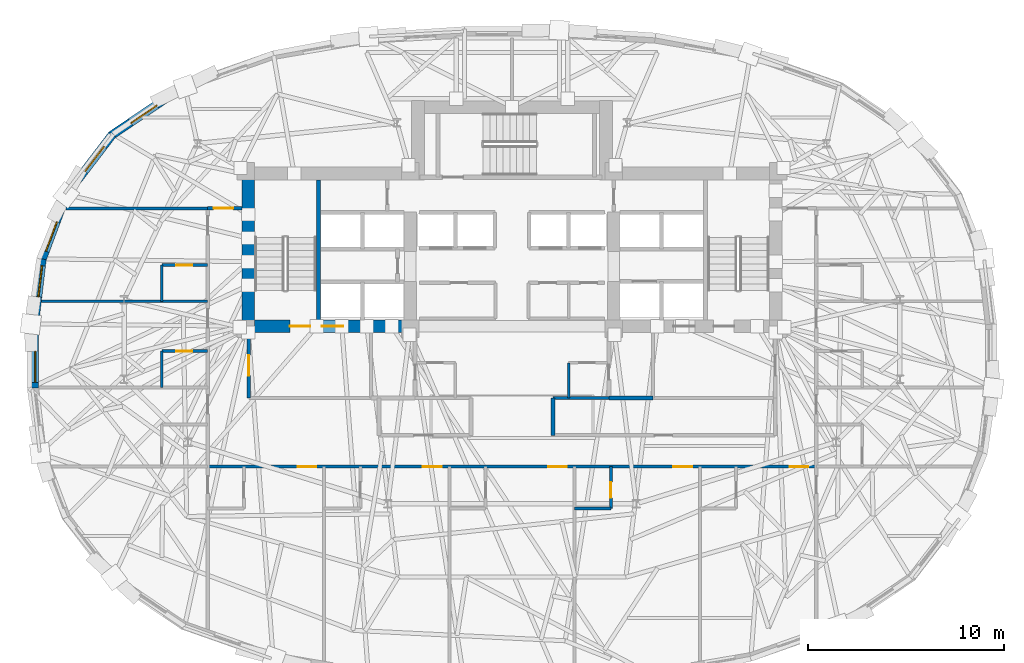
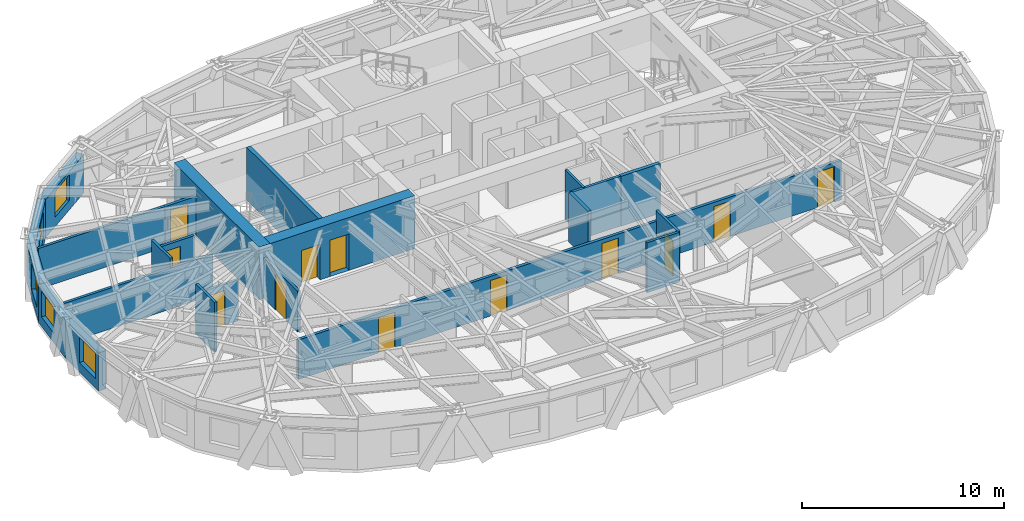
# One storey, part 7 of 15: 23 walls, 12 doors, 5 windows, 17 openings.
"""IFC4 building model written with IfcOpenShell, lengths in metres."""

from ifc_helpers import new_model, si_unit, direction, frame, frame_2d, origin, place, context, subcontext, project, spatial, rectangle, extrude, material, layer, layer_set, type_object, element, fill, save


model = new_model("IFC4")

# Units and contexts
model_context = context("Model", 3, precision=1e-05, world=origin(), true_north=direction((0.0, 1.0)))
body_context = subcontext(model_context, "Body", "Model", "MODEL_VIEW")
ifc_project = project(units=[si_unit("LENGTHUNIT", "METRE"), si_unit("AREAUNIT", "SQUARE_METRE"), si_unit("VOLUMEUNIT", "CUBIC_METRE"), si_unit("PLANEANGLEUNIT", "RADIAN"), si_unit("MASSUNIT", "GRAM", prefix="KILO")], contexts=[model_context])

# Site, building, storey
site_placement = place(None, origin())
site = spatial("IfcSite", under=ifc_project, at=site_placement, CompositionType="ELEMENT")
building_placement = place(site_placement, origin())
building = spatial("IfcBuilding", under=site, at=building_placement, Name="Keldmark Tower", CompositionType="ELEMENT")
storey_placement = place(building_placement, frame((0.0, 0.0, 143.800048828125)))
storey = spatial("IfcBuildingStorey", under=building, at=storey_placement, Name="L38", CompositionType="ELEMENT", Elevation=143.800048828125)

# Walls
ifc_material_1 = material(Name="Heavy Acoustic Plumbing Chase Gypsum Assembly", Category="gypsum")
ifc_layer_1 = layer(ifc_material_1, 0.18994140625)
ifc_layer_set_1 = layer_set([ifc_layer_1], Name="Heavy Acoustic Plumbing Chase Gypsum Assembly")
wall_type_1 = type_object("IfcWallType", Name="Heavy Wet Wall 190 mm", PredefinedType="PLUMBINGWALL", material=ifc_layer_set_1)
wall_1_placement = place(storey_placement, frame((2.10009765625, -4.050048828125, 0.0), z_axis=(0.0, 0.0, 1.0), x_axis=(0.0, 1.0, 0.0)))
element("IfcWall", 1, at=wall_1_placement, inside=storey, type_object=wall_type_1, Name="L38 Heavy Wet Wall 190 mm SPK-E-W", PredefinedType="PLUMBINGWALL", context=body_context, shape_type="SweptSolid", body=[
    extrude(rectangle(XDim=1.900146484375, YDim=0.18994140625, at=frame_2d((0.9501953125, 0.0))), origin(), (0.0, 0.0, 1.0), 3.02001953125),
])
ifc_material_2 = material(Name="Acoustic Gypsum Board Interior Partition", Category="gypsum")
ifc_layer_2 = layer(ifc_material_2, 0.1298828125)
ifc_layer_set_2 = layer_set([ifc_layer_2], Name="Acoustic Gypsum Board Interior Partition")
wall_type_2 = type_object("IfcWallType", Name="Interior Partition 130 mm", PredefinedType="PARTITIONING", material=ifc_layer_set_2)
wall_2_placement = place(storey_placement, frame((2.889892578125, -2.14990234375, 0.0), z_axis=(0.0, 0.0, 1.0), x_axis=(0.0, 1.0, 0.0)))
element("IfcWall", 2, at=wall_2_placement, inside=storey, type_object=wall_type_2, Name="L38 Interior Partition 130 mm CSC-E-W", PredefinedType="PARTITIONING", context=body_context, shape_type="SweptSolid", body=[
    extrude(rectangle(XDim=1.7998046875, YDim=0.1298828125, at=frame_2d((0.89990234375, 0.0))), origin(), (0.0, 0.0, 1.0), 3.02001953125),
])

# Wall, opening, door
ifc_material_3 = material(Name="Type X Fire-Rated Gypsum Partition Assembly", Category="gypsum")
ifc_layer_3 = layer(ifc_material_3, 0.1650390625)
ifc_layer_set_3 = layer_set([ifc_layer_3], Name="Type X Fire-Rated Gypsum Partition Assembly")
wall_type_3 = type_object("IfcWallType", Name="Rated Partition 165 mm", PredefinedType="PARTITIONING", material=ifc_layer_set_3)
wall_3_placement = place(storey_placement, frame((-13.449951171875, -2.14990234375, 0.0), z_axis=(0.0, 0.0, 1.0), x_axis=(0.0, 1.0, 0.0)))
wall_3 = element("IfcWall", 3, at=wall_3_placement, inside=storey, type_object=wall_type_3, Name="L38 Rated Partition 165 mm FSAE-W-W", PredefinedType="PARTITIONING", context=body_context, shape_type="SweptSolid", body=[
    extrude(rectangle(XDim=3.39990234375, YDim=0.1650390625, at=frame_2d((1.699951171875, 0.0))), origin(), (0.0, 0.0, 1.0), 2.472900390625),
])
opening_1_placement = place(wall_3_placement, frame((1.14990234375, 0.0, 0.0)))
opening_1 = element("IfcOpeningElement", 4, at=opening_1_placement, cuts=wall_3, Name="Opening D-FL105", PredefinedType="OPENING", context=body_context, shape_type="SweptSolid", body=[
    extrude(rectangle(XDim=1.050048828125, YDim=2.14990234375, at=frame_2d((0.52490234375, 1.074951171875))), frame((0.0, 0.092529296875, 0.0), z_axis=(0.0, -1.0, 0.0), x_axis=(1.0, 0.0, 0.0)), (0.0, 0.0, 1.0), 0.18505859375),
])
ifc_material_4 = material(Name="Fire-Rated Mineral-Core Door and Vision Lite", Category="metal")
door_type_1 = type_object("IfcDoorType", Name="Fire Lobby Door 1050x2150", OperationType="NOTDEFINED", PredefinedType="DOOR", material=ifc_material_4)
door_1_placement = place(opening_1_placement, origin())
door_1 = element("IfcDoor", 5, at=door_1_placement, inside=storey, type_object=door_type_1, Name="L38 Fire Lobby Door 1050x2150 D-FSAEW-OUT-L38", OperationType="SINGLE_SWING_LEFT", OverallHeight=2.14990234375, OverallWidth=1.050048828125, PredefinedType="DOOR", context=body_context, shape_type="SweptSolid", body=[
    extrude(rectangle(XDim=1.050048828125, YDim=2.14990234375, at=frame_2d((0.52490234375, 1.074951171875))), frame((0.0, 0.02490234375, 0.0), z_axis=(0.0, -1.0, 0.0), x_axis=(1.0, 0.0, 0.0)), (0.0, 0.0, 1.0), 0.050048828125),
])
fill(opening_1, door_1)

# Wall, openings, doors
wall_4_placement = place(storey_placement, frame((-15.550048828125, -5.64990234375, 0.0), z_axis=(0.0, 0.0, 1.0), x_axis=(1.0, 0.0, 0.0)))
wall_4 = element("IfcWall", 6, at=wall_4_placement, inside=storey, type_object=wall_type_3, Name="L38 Rated Partition 165 mm HCOR-S", PredefinedType="PARTITIONING", context=body_context, shape_type="SweptSolid", body=[
    extrude(rectangle(XDim=31.10009765625, YDim=0.1650390625, at=frame_2d((15.550048828125, 0.0))), origin(), (0.0, 0.0, 1.0), 2.39794921875),
])
opening_2_placement = place(wall_4_placement, frame((4.60009765625, 0.0, 0.0)))
opening_2 = element("IfcOpeningElement", 7, at=opening_2_placement, cuts=wall_4, Name="Opening D-HT095", PredefinedType="OPENING", context=body_context, shape_type="SweptSolid", body=[
    extrude(rectangle(XDim=0.949951171875, YDim=2.14990234375, at=frame_2d((0.47509765625, 1.074951171875))), frame((0.0, 0.092529296875, 0.0), z_axis=(0.0, -1.0, 0.0), x_axis=(1.0, 0.0, 0.0)), (0.0, 0.0, 1.0), 0.18505859375),
])
opening_3_placement = place(wall_4_placement, frame((11.0, 0.0, 0.0)))
opening_3 = element("IfcOpeningElement", 8, at=opening_3_placement, cuts=wall_4, Name="Opening D-HT095", PredefinedType="OPENING", context=body_context, shape_type="SweptSolid", body=[
    extrude(rectangle(XDim=0.949951171875, YDim=2.14990234375, at=frame_2d((0.47509765625, 1.074951171875))), frame((0.0, 0.092529296875, 0.0), z_axis=(0.0, -1.0, 0.0), x_axis=(1.0, 0.0, 0.0)), (0.0, 0.0, 1.0), 0.18505859375),
])
opening_4_placement = place(wall_4_placement, frame((17.39990234375, 0.0, 0.0)))
opening_4 = element("IfcOpeningElement", 9, at=opening_4_placement, cuts=wall_4, Name="Opening D-HT095", PredefinedType="OPENING", context=body_context, shape_type="SweptSolid", body=[
    extrude(rectangle(XDim=0.949951171875, YDim=2.14990234375, at=frame_2d((0.47509765625, 1.074951171875))), frame((0.0, 0.092529296875, 0.0), z_axis=(0.0, -1.0, 0.0), x_axis=(1.0, 0.0, 0.0)), (0.0, 0.0, 1.0), 0.18505859375),
])
opening_5_placement = place(wall_4_placement, frame((23.800048828125, 0.0, 0.0)))
opening_5 = element("IfcOpeningElement", 10, at=opening_5_placement, cuts=wall_4, Name="Opening D-HT095", PredefinedType="OPENING", context=body_context, shape_type="SweptSolid", body=[
    extrude(rectangle(XDim=0.949951171875, YDim=2.14990234375, at=frame_2d((0.47509765625, 1.074951171875))), frame((0.0, 0.092529296875, 0.0), z_axis=(0.0, -1.0, 0.0), x_axis=(1.0, 0.0, 0.0)), (0.0, 0.0, 1.0), 0.18505859375),
])
opening_6_placement = place(wall_4_placement, frame((29.75, 0.0, 0.0)))
opening_6 = element("IfcOpeningElement", 11, at=opening_6_placement, cuts=wall_4, Name="Opening D-HT095", PredefinedType="OPENING", context=body_context, shape_type="SweptSolid", body=[
    extrude(rectangle(XDim=0.949951171875, YDim=2.14990234375, at=frame_2d((0.47509765625, 1.074951171875))), frame((0.0, 0.092529296875, 0.0), z_axis=(0.0, -1.0, 0.0), x_axis=(1.0, 0.0, 0.0)), (0.0, 0.0, 1.0), 0.18505859375),
])
ifc_material_5 = material(Name="Solid-Core Acoustic White Oak Fire-Rated Assembly", Category="wood")
door_type_2 = type_object("IfcDoorType", Name="Hotel Entry Door 950x2150", OperationType="NOTDEFINED", PredefinedType="DOOR", material=ifc_material_5)
door_2_placement = place(opening_2_placement, origin())
door_2 = element("IfcDoor", 12, at=door_2_placement, inside=storey, type_object=door_type_2, Name="L38 Hotel Entry Door 950x2150 D-HRS1-L38", OperationType="SINGLE_SWING_RIGHT", OverallHeight=2.14990234375, OverallWidth=0.949951171875, PredefinedType="DOOR", context=body_context, shape_type="SweptSolid", body=[
    extrude(rectangle(XDim=0.949951171875, YDim=2.14990234375, at=frame_2d((0.47509765625, 1.074951171875))), frame((0.0, 0.02490234375, 0.0), z_axis=(0.0, -1.0, 0.0), x_axis=(1.0, 0.0, 0.0)), (0.0, 0.0, 1.0), 0.050048828125),
])
fill(opening_2, door_2)
door_3_placement = place(opening_3_placement, origin())
door_3 = element("IfcDoor", 13, at=door_3_placement, inside=storey, type_object=door_type_2, Name="L38 Hotel Entry Door 950x2150 D-HRS2-L38", OperationType="SINGLE_SWING_LEFT", OverallHeight=2.14990234375, OverallWidth=0.949951171875, PredefinedType="DOOR", context=body_context, shape_type="SweptSolid", body=[
    extrude(rectangle(XDim=0.949951171875, YDim=2.14990234375, at=frame_2d((0.47509765625, 1.074951171875))), frame((0.0, 0.02490234375, 0.0), z_axis=(0.0, -1.0, 0.0), x_axis=(1.0, 0.0, 0.0)), (0.0, 0.0, 1.0), 0.050048828125),
])
fill(opening_3, door_3)
door_4_placement = place(opening_4_placement, origin())
door_4 = element("IfcDoor", 14, at=door_4_placement, inside=storey, type_object=door_type_2, Name="L38 Hotel Entry Door 950x2150 D-HRS3-L38", OperationType="SINGLE_SWING_RIGHT", OverallHeight=2.14990234375, OverallWidth=0.949951171875, PredefinedType="DOOR", context=body_context, shape_type="SweptSolid", body=[
    extrude(rectangle(XDim=0.949951171875, YDim=2.14990234375, at=frame_2d((0.47509765625, 1.074951171875))), frame((0.0, 0.02490234375, 0.0), z_axis=(0.0, -1.0, 0.0), x_axis=(1.0, 0.0, 0.0)), (0.0, 0.0, 1.0), 0.050048828125),
])
fill(opening_4, door_4)
door_5_placement = place(opening_5_placement, origin())
door_5 = element("IfcDoor", 15, at=door_5_placement, inside=storey, type_object=door_type_2, Name="L38 Hotel Entry Door 950x2150 D-HRS4-L38", OperationType="SINGLE_SWING_LEFT", OverallHeight=2.14990234375, OverallWidth=0.949951171875, PredefinedType="DOOR", context=body_context, shape_type="SweptSolid", body=[
    extrude(rectangle(XDim=0.949951171875, YDim=2.14990234375, at=frame_2d((0.47509765625, 1.074951171875))), frame((0.0, 0.02490234375, 0.0), z_axis=(0.0, -1.0, 0.0), x_axis=(1.0, 0.0, 0.0)), (0.0, 0.0, 1.0), 0.050048828125),
])
fill(opening_5, door_5)
door_6_placement = place(opening_6_placement, origin())
door_6 = element("IfcDoor", 16, at=door_6_placement, inside=storey, type_object=door_type_2, Name="L38 Hotel Entry Door 950x2150 D-HRS5-L38", OperationType="SINGLE_SWING_RIGHT", OverallHeight=2.14990234375, OverallWidth=0.949951171875, PredefinedType="DOOR", context=body_context, shape_type="SweptSolid", body=[
    extrude(rectangle(XDim=0.949951171875, YDim=2.14990234375, at=frame_2d((0.47509765625, 1.074951171875))), frame((0.0, 0.02490234375, 0.0), z_axis=(0.0, -1.0, 0.0), x_axis=(1.0, 0.0, 0.0)), (0.0, 0.0, 1.0), 0.050048828125),
])
fill(opening_6, door_6)

# Wall, opening, door
wall_5_placement = place(storey_placement, frame((-15.550048828125, 7.550048828125, 0.0), z_axis=(0.0, 0.0, 1.0), x_axis=(1.0, 0.0, 0.0)))
wall_5 = element("IfcWall", 17, at=wall_5_placement, inside=storey, type_object=wall_type_3, Name="L38 Rated Partition 165 mm HCOR-WN", PredefinedType="PARTITIONING", context=body_context, shape_type="SweptSolid", body=[
    extrude(rectangle(XDim=1.75, YDim=0.1650390625, at=frame_2d((0.875, 0.0))), origin(), (0.0, 0.0, 1.0), 2.472900390625),
])
opening_7_placement = place(wall_5_placement, frame((0.300048828125, 0.0, 0.0)))
opening_7 = element("IfcOpeningElement", 18, at=opening_7_placement, cuts=wall_5, Name="Opening D-FD100", PredefinedType="OPENING", context=body_context, shape_type="SweptSolid", body=[
    extrude(rectangle(XDim=1.0, YDim=2.14990234375, at=frame_2d((0.5, 1.074951171875))), frame((0.0, 0.092529296875, 0.0), z_axis=(0.0, -1.0, 0.0), x_axis=(1.0, 0.0, 0.0)), (0.0, 0.0, 1.0), 0.18505859375),
])
ifc_material_6 = material(Name="Hollow Metal Fire-Rated Corridor Door", Category="metal")
door_type_3 = type_object("IfcDoorType", Name="Fire Door 1000x2150", OperationType="NOTDEFINED", PredefinedType="DOOR", material=ifc_material_6)
door_7_placement = place(opening_7_placement, origin())
door_7 = element("IfcDoor", 19, at=door_7_placement, inside=storey, type_object=door_type_3, Name="L38 Fire Door 1000x2150 D-HNNW-L38", OperationType="SINGLE_SWING_LEFT", OverallHeight=2.14990234375, OverallWidth=1.0, PredefinedType="DOOR", context=body_context, shape_type="SweptSolid", body=[
    extrude(rectangle(XDim=1.0, YDim=2.14990234375, at=frame_2d((0.5, 1.074951171875))), frame((0.0, 0.02490234375, 0.0), z_axis=(0.0, -1.0, 0.0), x_axis=(1.0, 0.0, 0.0)), (0.0, 0.0, 1.0), 0.050048828125),
])
fill(opening_7, door_7)

# Walls
ifc_material_7 = material(Name="Fire-Resistant Type X Gypsum Shaftliner Coreboard", Category="gypsum")
ifc_layer_4 = layer(ifc_material_7, 0.199951171875)
ifc_layer_set_4 = layer_set([ifc_layer_4], Name="Fire-Resistant Type X Gypsum Shaftliner Coreboard")
wall_type_4 = type_object("IfcWallType", Name="Shaft Wall 200 mm", PredefinedType="SOLIDWALL", material=ifc_layer_set_4)
wall_6_placement = place(storey_placement, frame((4.949951171875, -2.14990234375, 0.0), z_axis=(0.0, 0.0, 1.0), x_axis=(1.0, 0.0, 0.0)))
element("IfcWall", 20, at=wall_6_placement, inside=storey, type_object=wall_type_4, Name="L38 Shaft Wall 200 mm RIS-SE-S", PredefinedType="SOLIDWALL", context=body_context, shape_type="SweptSolid", body=[
    extrude(rectangle(XDim=2.25, YDim=0.199951171875, at=frame_2d((1.125, 0.0))), origin(), (0.0, 0.0, 1.0), 3.02001953125),
])
ifc_material_8 = material(Name="Concrete C50/60", Category="concrete")
ifc_layer_5 = layer(ifc_material_8, 0.219970703125)
ifc_layer_set_5 = layer_set([ifc_layer_5], Name="Concrete C50/60")
wall_type_5 = type_object("IfcWallType", Name="Stair Core Shear Wall 220 mm", PredefinedType="SHEAR", material=ifc_layer_set_5)
wall_7_placement = place(storey_placement, frame((-9.889892578125, 1.85009765625, 0.0), z_axis=(0.0, 0.0, 1.0), x_axis=(0.0, 1.0, 0.0)))
element("IfcWall", 21, at=wall_7_placement, inside=storey, type_object=wall_type_5, Name="L38 West Stair Core Shear Wall", PredefinedType="SHEAR", context=body_context, shape_type="SweptSolid", body=[
    extrude(rectangle(XDim=7.14990234375, YDim=0.219970703125, at=frame_2d((3.574951171875, 0.0))), origin(), (0.0, 0.0, 1.0), 3.199951171875),
])

# Wall, opening, window
ifc_material_9 = material(Name="Ironspot Manganese Brick and Kasota Buff Limestone Spandrel Assembly", Category="masonry")
ifc_layer_6 = layer(ifc_material_9, 0.43994140625)
ifc_layer_set_6 = layer_set([ifc_layer_6], Name="Ironspot Manganese Brick and Kasota Buff Limestone Spandrel Assembly")
wall_type_6 = type_object("IfcWallType", Name="Tower Brick Pier and Spandrel Wall 440 mm", PredefinedType="STANDARD", material=ifc_layer_set_6)
wall_8_placement = place(storey_placement, frame((-20.476806640625, 11.277099609375, 0.0), z_axis=(0.0, 0.0, 1.0), x_axis=(0.827741657842, 0.561109390291, 0.0)))
wall_8 = element("IfcWall", 22, at=wall_8_placement, inside=storey, type_object=wall_type_6, Name="L38 Exterior Brick and Spandrel Wall 12", PredefinedType="STANDARD", context=body_context, shape_type="SweptSolid", body=[
    extrude(rectangle(XDim=4.462890625, YDim=0.43994140625, at=frame_2d((2.2314453125, 0.0))), origin(), (0.0, 0.0, 1.0), 2.31494140625),
])
opening_8_placement = place(wall_8_placement, frame((1.18505859375, 0.0, 0.580078125)))
opening_8 = element("IfcOpeningElement", 23, at=opening_8_placement, cuts=wall_8, Name="Opening W-04", PredefinedType="OPENING", context=body_context, shape_type="SweptSolid", body=[
    extrude(rectangle(XDim=1.60009765625, YDim=1.550048828125, at=frame_2d((0.800048828125, 0.77490234375))), frame((0.0, 0.22998046875, 0.0), z_axis=(0.0, -1.0, 0.0), x_axis=(1.0, 0.0, 0.0)), (0.0, 0.0, 1.0), 0.4599609375),
])
ifc_material_10 = material(Name="Thermally Broken Anodized Aluminum and Triple Low-E Argon Glazing", Category="aluminium")
window_type = type_object("IfcWindowType", Name="Hotel Deep-Set Operable Window 1600x1550", PartitioningType="DOUBLE_PANEL_HORIZONTAL", PredefinedType="WINDOW", material=ifc_material_10)
window_1_placement = place(opening_8_placement, origin())
window_1 = element("IfcWindow", 24, at=window_1_placement, inside=storey, type_object=window_type, Name="L38 Deep-Set Window 12", OverallHeight=1.550048828125, OverallWidth=1.60009765625, PartitioningType="SINGLE_PANEL", PredefinedType="WINDOW", context=body_context, shape_type="SweptSolid", body=[
    extrude(rectangle(XDim=1.60009765625, YDim=1.550048828125, at=frame_2d((0.800048828125, 0.77490234375))), frame((0.0, -0.010009765625, 0.0), z_axis=(0.0, -1.0, 0.0), x_axis=(1.0, 0.0, 0.0)), (0.0, 0.0, 1.0), 0.06005859375),
])
fill(opening_8, window_1)

wall_9_placement = place(storey_placement, frame((-22.81689453125, 8.1962890625, 0.0), z_axis=(0.0, 0.0, 1.0), x_axis=(0.607215400231, 0.794537260122, 0.0)))
wall_9 = element("IfcWall", 25, at=wall_9_placement, inside=storey, type_object=wall_type_6, Name="L38 Exterior Brick and Spandrel Wall 13", PredefinedType="STANDARD", context=body_context, shape_type="SweptSolid", body=[
    extrude(rectangle(XDim=3.938720703125, YDim=0.43994140625, at=frame_2d((1.96923828125, 0.0))), origin(), (0.0, 0.0, 1.0), 2.31494140625),
])
opening_9_placement = place(wall_9_placement, frame((1.591796875, 0.0, 0.580078125)))
opening_9 = element("IfcOpeningElement", 26, at=opening_9_placement, cuts=wall_9, Name="Opening W-04", PredefinedType="OPENING", context=body_context, shape_type="SweptSolid", body=[
    extrude(rectangle(XDim=1.60009765625, YDim=1.550048828125, at=frame_2d((0.800048828125, 0.77490234375))), frame((0.0, 0.22998046875, 0.0), z_axis=(0.0, -1.0, 0.0), x_axis=(1.0, 0.0, 0.0)), (0.0, 0.0, 1.0), 0.4599609375),
])
window_2_placement = place(opening_9_placement, origin())
window_2 = element("IfcWindow", 27, at=window_2_placement, inside=storey, type_object=window_type, Name="L38 Deep-Set Window 13", OverallHeight=1.550048828125, OverallWidth=1.60009765625, PartitioningType="SINGLE_PANEL", PredefinedType="WINDOW", context=body_context, shape_type="SweptSolid", body=[
    extrude(rectangle(XDim=1.60009765625, YDim=1.550048828125, at=frame_2d((0.800048828125, 0.77490234375))), frame((0.0, -0.010009765625, 0.0), z_axis=(0.0, -1.0, 0.0), x_axis=(1.0, 0.0, 0.0)), (0.0, 0.0, 1.0), 0.06005859375),
])
fill(opening_9, window_2)

wall_10_placement = place(storey_placement, frame((-24.033203125, 4.906982421875, 0.0), z_axis=(0.0, 0.0, 1.0), x_axis=(0.349422124021, 0.936965409844, 0.0)))
wall_10 = element("IfcWall", 28, at=wall_10_placement, inside=storey, type_object=wall_type_6, Name="L38 Exterior Brick and Spandrel Wall 14", PredefinedType="STANDARD", context=body_context, shape_type="SweptSolid", body=[
    extrude(rectangle(XDim=3.571044921875, YDim=0.43994140625, at=frame_2d((1.78564453125, 0.0))), origin(), (0.0, 0.0, 1.0), 2.31494140625),
])
opening_10_placement = place(wall_10_placement, frame((0.49462890625, 0.0, 0.580078125)))
opening_10 = element("IfcOpeningElement", 29, at=opening_10_placement, cuts=wall_10, Name="Opening W-04", PredefinedType="OPENING", context=body_context, shape_type="SweptSolid", body=[
    extrude(rectangle(XDim=1.60009765625, YDim=1.550048828125, at=frame_2d((0.800048828125, 0.77490234375))), frame((0.0, 0.22998046875, 0.0), z_axis=(0.0, -1.0, 0.0), x_axis=(1.0, 0.0, 0.0)), (0.0, 0.0, 1.0), 0.4599609375),
])
window_3_placement = place(opening_10_placement, origin())
window_3 = element("IfcWindow", 30, at=window_3_placement, inside=storey, type_object=window_type, Name="L38 Deep-Set Window 14", OverallHeight=1.550048828125, OverallWidth=1.60009765625, PartitioningType="SINGLE_PANEL", PredefinedType="WINDOW", context=body_context, shape_type="SweptSolid", body=[
    extrude(rectangle(XDim=1.60009765625, YDim=1.550048828125, at=frame_2d((0.800048828125, 0.77490234375))), frame((0.0, -0.010009765625, 0.0), z_axis=(0.0, -1.0, 0.0), x_axis=(1.0, 0.0, 0.0)), (0.0, 0.0, 1.0), 0.06005859375),
])
fill(opening_10, window_3)

wall_11_placement = place(storey_placement, frame((-24.4130859375, 1.61865234375, 0.0), z_axis=(0.0, 0.0, 1.0), x_axis=(0.116605336518, 0.993178330158, 0.0)))
wall_11 = element("IfcWall", 31, at=wall_11_placement, inside=storey, type_object=wall_type_6, Name="L38 Exterior Brick and Spandrel Wall 15", PredefinedType="STANDARD", context=body_context, shape_type="SweptSolid", body=[
    extrude(rectangle(XDim=3.362548828125, YDim=0.43994140625, at=frame_2d((1.68115234375, 0.0))), origin(), (0.0, 0.0, 1.0), 2.31494140625),
])
opening_11_placement = place(wall_11_placement, frame((1.41650390625, 0.0, 0.580078125)))
opening_11 = element("IfcOpeningElement", 32, at=opening_11_placement, cuts=wall_11, Name="Opening W-04", PredefinedType="OPENING", context=body_context, shape_type="SweptSolid", body=[
    extrude(rectangle(XDim=1.60009765625, YDim=1.550048828125, at=frame_2d((0.800048828125, 0.77490234375))), frame((0.0, 0.22998046875, 0.0), z_axis=(0.0, -1.0, 0.0), x_axis=(1.0, 0.0, 0.0)), (0.0, 0.0, 1.0), 0.4599609375),
])
window_4_placement = place(opening_11_placement, origin())
window_4 = element("IfcWindow", 33, at=window_4_placement, inside=storey, type_object=window_type, Name="L38 Deep-Set Window 15", OverallHeight=1.550048828125, OverallWidth=1.60009765625, PartitioningType="SINGLE_PANEL", PredefinedType="WINDOW", context=body_context, shape_type="SweptSolid", body=[
    extrude(rectangle(XDim=1.60009765625, YDim=1.550048828125, at=frame_2d((0.800048828125, 0.77490234375))), frame((0.0, -0.010009765625, 0.0), z_axis=(0.0, -1.0, 0.0), x_axis=(1.0, 0.0, 0.0)), (0.0, 0.0, 1.0), 0.06005859375),
])
fill(opening_11, window_4)

wall_12_placement = place(storey_placement, frame((-24.41162109375, -1.644287109375, 0.0), z_axis=(0.0, 0.0, 1.0), x_axis=(0.0, 1.0, 0.0)))
wall_12 = element("IfcWall", 34, at=wall_12_placement, inside=storey, type_object=wall_type_6, Name="L38 Exterior Brick and Spandrel Wall 16", PredefinedType="STANDARD", context=body_context, shape_type="SweptSolid", body=[
    extrude(rectangle(XDim=3.28857421875, YDim=0.43994140625, at=frame_2d((1.644287109375, 0.0))), origin(), (0.0, 0.0, 1.0), 2.31494140625),
])
opening_12_placement = place(wall_12_placement, frame((0.299072265625, 0.0, 0.580078125)))
opening_12 = element("IfcOpeningElement", 35, at=opening_12_placement, cuts=wall_12, Name="Opening W-04", PredefinedType="OPENING", context=body_context, shape_type="SweptSolid", body=[
    extrude(rectangle(XDim=1.60009765625, YDim=1.550048828125, at=frame_2d((0.800048828125, 0.77490234375))), frame((0.0, 0.22998046875, 0.0), z_axis=(0.0, -1.0, 0.0), x_axis=(1.0, 0.0, 0.0)), (0.0, 0.0, 1.0), 0.4599609375),
])
window_5_placement = place(opening_12_placement, origin())
window_5 = element("IfcWindow", 36, at=window_5_placement, inside=storey, type_object=window_type, Name="L38 Deep-Set Window 16", OverallHeight=1.550048828125, OverallWidth=1.60009765625, PartitioningType="SINGLE_PANEL", PredefinedType="WINDOW", context=body_context, shape_type="SweptSolid", body=[
    extrude(rectangle(XDim=1.60009765625, YDim=1.550048828125, at=frame_2d((0.800048828125, 0.77490234375))), frame((0.0, -0.010009765625, 0.0), z_axis=(0.0, -1.0, 0.0), x_axis=(1.0, 0.0, 0.0)), (0.0, 0.0, 1.0), 0.06005859375),
])
fill(opening_12, window_5)

# Wall
ifc_material_11 = material(Name="Concrete C50/60", Category="concrete")
ifc_layer_7 = layer(ifc_material_11, 0.64990234375)
ifc_layer_set_7 = layer_set([ifc_layer_7], Name="Concrete C50/60")
wall_type_7 = type_object("IfcWallType", Name="Upper-Mid Core Shear Wall 650 mm", PredefinedType="SHEAR", material=ifc_layer_set_7)
wall_13_placement = place(storey_placement, frame((-13.47509765625, 1.199951171875, 0.0), z_axis=(0.0, 0.0, 1.0), x_axis=(0.0, 1.0, 0.0)))
element("IfcWall", 37, at=wall_13_placement, inside=storey, type_object=wall_type_7, Name="L38 West Core Outer Shear Wall", PredefinedType="SHEAR", context=body_context, shape_type="SweptSolid", body=[
    extrude(rectangle(XDim=8.449951171875, YDim=0.64990234375, at=frame_2d((4.22509765625, 0.0))), origin(), (0.0, 0.0, 1.0), 3.199951171875),
])

# Wall, openings, doors
wall_14_placement = place(storey_placement, frame((-4.875, 1.52490234375, 0.0), z_axis=(0.0, 0.0, 1.0), x_axis=(-1.0, 0.0, 0.0)))
wall_14 = element("IfcWall", 38, at=wall_14_placement, inside=storey, type_object=wall_type_7, Name="L38 West Core South Shear Wall", PredefinedType="SHEAR", context=body_context, shape_type="SweptSolid", body=[
    extrude(rectangle(XDim=8.925048828125, YDim=0.64990234375, at=frame_2d((4.46240234375, 0.0))), origin(), (0.0, 0.0, 1.0), 3.199951171875),
])
opening_13_placement = place(wall_14_placement, frame((5.425048828125, 0.0, 0.0)))
opening_13 = element("IfcOpeningElement", 39, at=opening_13_placement, cuts=wall_14, Name="Opening D-ST105", PredefinedType="OPENING", context=body_context, shape_type="SweptSolid", body=[
    extrude(rectangle(XDim=1.050048828125, YDim=2.14990234375, at=frame_2d((0.52490234375, 1.074951171875))), frame((0.0, 0.3349609375, 0.0), z_axis=(0.0, -1.0, 0.0), x_axis=(1.0, 0.0, 0.0)), (0.0, 0.0, 1.0), 0.669921875),
])
opening_14_placement = place(wall_14_placement, frame((3.7548828125, 0.0, 0.0)))
opening_14 = element("IfcOpeningElement", 40, at=opening_14_placement, cuts=wall_14, Name="Opening LD-110", PredefinedType="OPENING", context=body_context, shape_type="SweptSolid", body=[
    extrude(rectangle(XDim=1.10009765625, YDim=2.199951171875, at=frame_2d((0.550048828125, 1.10009765625))), frame((0.0, 0.3349609375, 0.0), z_axis=(0.0, -1.0, 0.0), x_axis=(1.0, 0.0, 0.0)), (0.0, 0.0, 1.0), 0.669921875),
])
ifc_material_12 = material(Name="Brushed Bronze Hoistway Sliding Leaf", Category="metal")
door_type_4 = type_object("IfcDoorType", Name="Lift Landing Sliding Door 1100x2200", OperationType="SLIDING_TO_LEFT", PredefinedType="DOOR", material=ifc_material_12)
door_8_placement = place(opening_14_placement, origin())
door_8 = element("IfcDoor", 41, at=door_8_placement, inside=storey, type_object=door_type_4, Name="L38 Lift Landing Sliding Door 1100x2200 LD-EL-FS1-L38", OperationType="SLIDING_TO_LEFT", OverallHeight=2.199951171875, OverallWidth=1.10009765625, PredefinedType="DOOR", context=body_context, shape_type="SweptSolid", body=[
    extrude(rectangle(XDim=1.10009765625, YDim=2.199951171875, at=frame_2d((0.550048828125, 1.10009765625))), frame((0.0, 0.02490234375, 0.0), z_axis=(0.0, -1.0, 0.0), x_axis=(1.0, 0.0, 0.0)), (0.0, 0.0, 1.0), 0.050048828125),
])
fill(opening_14, door_8)
ifc_material_13 = material(Name="Hollow Metal Fire-Rated Door Assembly", Category="metal")
door_type_5 = type_object("IfcDoorType", Name="Stair Fire Door 1050x2150", OperationType="NOTDEFINED", PredefinedType="DOOR", material=ifc_material_13)
door_9_placement = place(opening_13_placement, origin())
door_9 = element("IfcDoor", 42, at=door_9_placement, inside=storey, type_object=door_type_5, Name="L38 Stair Fire Door 1050x2150 D-ST1-L38", OperationType="SINGLE_SWING_RIGHT", OverallHeight=2.14990234375, OverallWidth=1.050048828125, PredefinedType="DOOR", context=body_context, shape_type="SweptSolid", body=[
    extrude(rectangle(XDim=1.050048828125, YDim=2.14990234375, at=frame_2d((0.52490234375, 1.074951171875))), frame((0.0, 0.02490234375, 0.0), z_axis=(0.0, -1.0, 0.0), x_axis=(1.0, 0.0, 0.0)), (0.0, 0.0, 1.0), 0.050048828125),
])
fill(opening_13, door_9)

# Walls
ifc_material_14 = material(Name="Moisture-Resistant Gypsum Plumbing Partition", Category="gypsum")
ifc_layer_8 = layer(ifc_material_14, 0.14990234375)
ifc_layer_set_8 = layer_set([ifc_layer_8], Name="Moisture-Resistant Gypsum Plumbing Partition")
wall_type_8 = type_object("IfcWallType", Name="Wet Wall 150 mm", PredefinedType="PLUMBINGWALL", material=ifc_layer_set_8)
wall_15_placement = place(storey_placement, frame((2.10009765625, -2.14990234375, 0.0), z_axis=(0.0, 0.0, 1.0), x_axis=(1.0, 0.0, 0.0)))
element("IfcWall", 43, at=wall_15_placement, inside=storey, type_object=wall_type_8, Name="L38 Wet Wall 150 mm SPK-E-N", PredefinedType="PLUMBINGWALL", context=body_context, shape_type="SweptSolid", body=[
    extrude(rectangle(XDim=2.849853515625, YDim=0.14990234375, at=frame_2d((1.4248046875, 0.0))), origin(), (0.0, 0.0, 1.0), 3.02001953125),
])
wall_16_placement = place(storey_placement, frame((-22.80419921875, 7.550048828125, 0.0), z_axis=(0.0, 0.0, 1.0), x_axis=(1.0, 0.0, 0.0)))
element("IfcWall", 44, at=wall_16_placement, inside=storey, type_object=wall_type_8, Name="L38 Wet Wall 150 mm HW-CAP-N", PredefinedType="PLUMBINGWALL", context=body_context, shape_type="SweptSolid", body=[
    extrude(rectangle(XDim=7.254150390625, YDim=0.14990234375, at=frame_2d((3.626953125, 0.0))), origin(), (0.0, 0.0, 1.0), 2.472900390625),
])

# Wall, opening, door
wall_17_placement = place(storey_placement, frame((5.050048828125, -7.800048828125, 0.0), z_axis=(0.0, 0.0, 1.0), x_axis=(0.0, 1.0, 0.0)))
wall_17 = element("IfcWall", 45, at=wall_17_placement, inside=storey, type_object=wall_type_8, Name="L38 Wet Wall 150 mm HB-S4-E", PredefinedType="PLUMBINGWALL", context=body_context, shape_type="SweptSolid", body=[
    extrude(rectangle(XDim=2.150146484375, YDim=0.14990234375, at=frame_2d((1.0751953125, 0.0))), origin(), (0.0, 0.0, 1.0), 3.02001953125),
])
opening_15_placement = place(wall_17_placement, frame((0.550048828125, 0.0, 0.0)))
opening_15 = element("IfcOpeningElement", 46, at=opening_15_placement, cuts=wall_17, Name="Opening D-BT080", PredefinedType="OPENING", context=body_context, shape_type="SweptSolid", body=[
    extrude(rectangle(XDim=0.800048828125, YDim=2.10009765625, at=frame_2d((0.39990234375, 1.050048828125))), frame((0.0, 0.0849609375, 0.0), z_axis=(0.0, -1.0, 0.0), x_axis=(1.0, 0.0, 0.0)), (0.0, 0.0, 1.0), 0.169921875),
])
ifc_material_15 = material(Name="Moisture-Sealed Stained Wood", Category="wood")
door_type_6 = type_object("IfcDoorType", Name="Bathroom Door 800x2100", OperationType="NOTDEFINED", PredefinedType="DOOR", material=ifc_material_15)
door_10_placement = place(opening_15_placement, origin())
door_10 = element("IfcDoor", 47, at=door_10_placement, inside=storey, type_object=door_type_6, Name="L38 Bathroom Door 800x2100 D-HBS4-L38", OperationType="SINGLE_SWING_RIGHT", OverallHeight=2.10009765625, OverallWidth=0.800048828125, PredefinedType="DOOR", context=body_context, shape_type="SweptSolid", body=[
    extrude(rectangle(XDim=0.800048828125, YDim=2.10009765625, at=frame_2d((0.39990234375, 1.050048828125))), frame((0.0, 0.02490234375, 0.0), z_axis=(0.0, -1.0, 0.0), x_axis=(1.0, 0.0, 0.0)), (0.0, 0.0, 1.0), 0.050048828125),
])
fill(opening_15, door_10)

# Walls
wall_18_placement = place(storey_placement, frame((3.199951171875, -7.800048828125, 0.0), z_axis=(0.0, 0.0, 1.0), x_axis=(1.0, 0.0, 0.0)))
element("IfcWall", 48, at=wall_18_placement, inside=storey, type_object=wall_type_8, Name="L38 Wet Wall 150 mm HB-S4-S", PredefinedType="PLUMBINGWALL", context=body_context, shape_type="SweptSolid", body=[
    extrude(rectangle(XDim=1.85009765625, YDim=0.14990234375, at=frame_2d((0.925048828125, 0.0))), origin(), (0.0, 0.0, 1.0), 3.02001953125),
])
wall_19_placement = place(storey_placement, frame((-24.044677734375, 2.800048828125, 0.0), z_axis=(0.0, 0.0, 1.0), x_axis=(1.0, 0.0, 0.0)))
element("IfcWall", 49, at=wall_19_placement, inside=storey, type_object=wall_type_8, Name="L38 Wet Wall 150 mm HW-DIV-2", PredefinedType="PLUMBINGWALL", context=body_context, shape_type="SweptSolid", body=[
    extrude(rectangle(XDim=8.49462890625, YDim=0.14990234375, at=frame_2d((4.247314453125, 0.0))), origin(), (0.0, 0.0, 1.0), 2.472900390625),
])

# Wall, opening, door
wall_20_placement = place(storey_placement, frame((-17.89990234375, 0.25, 0.0), z_axis=(0.0, 0.0, 1.0), x_axis=(1.0, 0.0, 0.0)))
wall_20 = element("IfcWall", 50, at=wall_20_placement, inside=storey, type_object=wall_type_8, Name="L38 Wet Wall 150 mm HB-7-N", PredefinedType="PLUMBINGWALL", context=body_context, shape_type="SweptSolid", body=[
    extrude(rectangle(XDim=2.349853515625, YDim=0.14990234375, at=frame_2d((1.1748046875, 0.0))), origin(), (0.0, 0.0, 1.0), 2.472900390625),
])
opening_16_placement = place(wall_20_placement, frame((0.75, 0.0, 0.0)))
opening_16 = element("IfcOpeningElement", 51, at=opening_16_placement, cuts=wall_20, Name="Opening D-BT080", PredefinedType="OPENING", context=body_context, shape_type="SweptSolid", body=[
    extrude(rectangle(XDim=0.800048828125, YDim=2.10009765625, at=frame_2d((0.39990234375, 1.050048828125))), frame((0.0, 0.0849609375, 0.0), z_axis=(0.0, -1.0, 0.0), x_axis=(1.0, 0.0, 0.0)), (0.0, 0.0, 1.0), 0.169921875),
])
door_11_placement = place(opening_16_placement, origin())
door_11 = element("IfcDoor", 52, at=door_11_placement, inside=storey, type_object=door_type_6, Name="L38 Bathroom Door 800x2100 D-HB-7-L38", OperationType="SINGLE_SWING_LEFT", OverallHeight=2.10009765625, OverallWidth=0.800048828125, PredefinedType="DOOR", context=body_context, shape_type="SweptSolid", body=[
    extrude(rectangle(XDim=0.800048828125, YDim=2.10009765625, at=frame_2d((0.39990234375, 1.050048828125))), frame((0.0, 0.02490234375, 0.0), z_axis=(0.0, -1.0, 0.0), x_axis=(1.0, 0.0, 0.0)), (0.0, 0.0, 1.0), 0.050048828125),
])
fill(opening_16, door_11)

# Wall
wall_21_placement = place(storey_placement, frame((-17.89990234375, -1.60009765625, 0.0), z_axis=(0.0, 0.0, 1.0), x_axis=(0.0, 1.0, 0.0)))
element("IfcWall", 53, at=wall_21_placement, inside=storey, type_object=wall_type_8, Name="L38 Wet Wall 150 mm HB-7-IN", PredefinedType="PLUMBINGWALL", context=body_context, shape_type="SweptSolid", body=[
    extrude(rectangle(XDim=1.85009765625, YDim=0.14990234375, at=frame_2d((0.925048828125, 0.0))), origin(), (0.0, 0.0, 1.0), 3.02001953125),
])

# Wall, opening, door
wall_22_placement = place(storey_placement, frame((-17.89990234375, 4.64990234375, 0.0), z_axis=(0.0, 0.0, 1.0), x_axis=(1.0, 0.0, 0.0)))
wall_22 = element("IfcWall", 54, at=wall_22_placement, inside=storey, type_object=wall_type_8, Name="L38 Wet Wall 150 mm HB-8-N", PredefinedType="PLUMBINGWALL", context=body_context, shape_type="SweptSolid", body=[
    extrude(rectangle(XDim=2.349853515625, YDim=0.14990234375, at=frame_2d((1.1748046875, 0.0))), origin(), (0.0, 0.0, 1.0), 2.472900390625),
])
opening_17_placement = place(wall_22_placement, frame((0.75, 0.0, 0.0)))
opening_17 = element("IfcOpeningElement", 55, at=opening_17_placement, cuts=wall_22, Name="Opening D-BT080", PredefinedType="OPENING", context=body_context, shape_type="SweptSolid", body=[
    extrude(rectangle(XDim=0.800048828125, YDim=2.10009765625, at=frame_2d((0.39990234375, 1.050048828125))), frame((0.0, 0.0849609375, 0.0), z_axis=(0.0, -1.0, 0.0), x_axis=(1.0, 0.0, 0.0)), (0.0, 0.0, 1.0), 0.169921875),
])
door_12_placement = place(opening_17_placement, origin())
door_12 = element("IfcDoor", 56, at=door_12_placement, inside=storey, type_object=door_type_6, Name="L38 Bathroom Door 800x2100 D-HB-8-L38", OperationType="SINGLE_SWING_LEFT", OverallHeight=2.10009765625, OverallWidth=0.800048828125, PredefinedType="DOOR", context=body_context, shape_type="SweptSolid", body=[
    extrude(rectangle(XDim=0.800048828125, YDim=2.10009765625, at=frame_2d((0.39990234375, 1.050048828125))), frame((0.0, 0.02490234375, 0.0), z_axis=(0.0, -1.0, 0.0), x_axis=(1.0, 0.0, 0.0)), (0.0, 0.0, 1.0), 0.050048828125),
])
fill(opening_17, door_12)

# Wall
wall_23_placement = place(storey_placement, frame((-17.89990234375, 2.800048828125, 0.0), z_axis=(0.0, 0.0, 1.0), x_axis=(0.0, 1.0, 0.0)))
element("IfcWall", 57, at=wall_23_placement, inside=storey, type_object=wall_type_8, Name="L38 Wet Wall 150 mm HB-8-IN", PredefinedType="PLUMBINGWALL", context=body_context, shape_type="SweptSolid", body=[
    extrude(rectangle(XDim=1.849853515625, YDim=0.14990234375, at=frame_2d((0.9248046875, 0.0))), origin(), (0.0, 0.0, 1.0), 3.02001953125),
])

save(model, "model.ifc")
